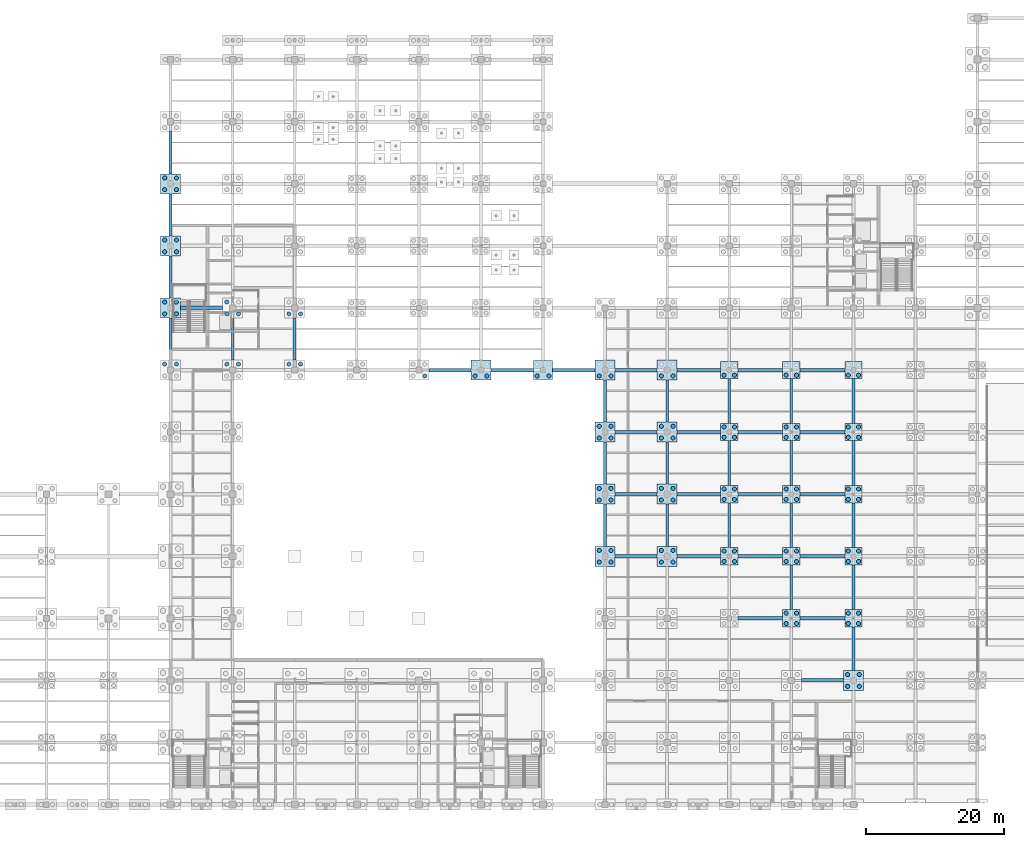
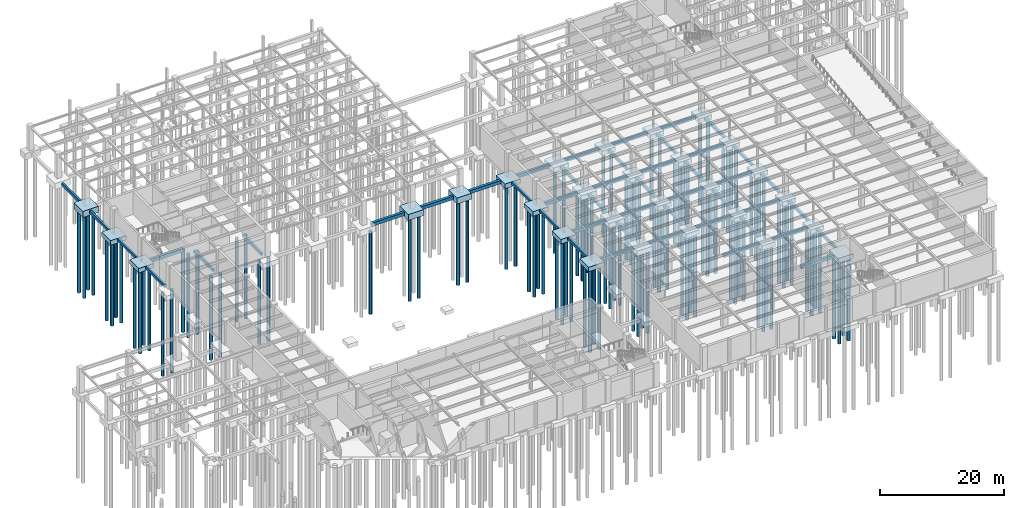
# One storey, part 4 of 49: 110 piles, 75 footings.
"""IFC4 building model written with IfcOpenShell, lengths in metres."""

import ifcopenshell
import ifcopenshell.guid

model = None  # the IFC model being written
_history = None  # IfcOwnerHistory: only IFC2X3 demands one
_inside = {}  # id of a spatial element -> (the spatial element, [elements in it])
_under = {}  # id of a project, library or spatial element -> (it, [spatial elements below it])
_declared = {}  # id of a project -> (the project, [libraries it declares])
_typed = {}  # id of a type object -> (the type object, [elements of that type])
_made_of = {}  # id of a material, layer set ... -> (it, [elements and type objects made of it])


def new_model(schema):
    """Start an empty IFC model of exactly this schema.

    Asked for "IFC4X3", IfcOpenShell would pick the latest addendum, in which some entities
    have other attributes; the version numbers below select the first issue.
    IFC2X3 requires an IfcOwnerHistory on every rooted entity: one is made here for all.
    """
    global model, _history
    if schema == "IFC4X3":
        model = ifcopenshell.file(schema_version=(4, 3, 0, 0))
    else:
        model = ifcopenshell.file(schema=schema)
    _inside.clear()
    _under.clear()
    _declared.clear()
    _typed.clear()
    _made_of.clear()
    _history = None
    if model.schema == "IFC2X3":
        org = make("IfcOrganization", Name="unknown")
        user = make(
            "IfcPersonAndOrganization",
            ThePerson=make("IfcPerson", FamilyName="unknown"),
            TheOrganization=org,
        )
        app = make(
            "IfcApplication",
            ApplicationDeveloper=org,
            Version="unknown",
            ApplicationFullName="unknown",
            ApplicationIdentifier="unknown",
        )
        _history = make(
            "IfcOwnerHistory",
            OwningUser=user,
            OwningApplication=app,
            ChangeAction="ADDED",
            CreationDate=0,
        )
    return model


def make(cls, **values):
    """One entity of the class cls with the attributes given. An attribute that is None is left unset."""
    return model.create_entity(
        cls, **{name: value for name, value in values.items() if value is not None}
    )


def rooted(cls, **values):
    """An entity with a GlobalId (a new one), such as an element, a storey or a relation."""
    return make(cls, GlobalId=ifcopenshell.guid.new(), OwnerHistory=_history, **values)


def si_unit(unit_type, name, prefix=None):
    """IfcSIUnit, for example si_unit("LENGTHUNIT", "METRE", prefix="MILLI")."""
    return make("IfcSIUnit", UnitType=unit_type, Prefix=prefix, Name=name)


def assignment(units):
    """IfcUnitAssignment: the units of a project."""
    return None if units is None else make("IfcUnitAssignment", Units=units)


def point(xyz):
    """IfcCartesianPoint."""
    return None if xyz is None else make("IfcCartesianPoint", Coordinates=xyz)


def direction(xyz):
    """IfcDirection."""
    return None if xyz is None else make("IfcDirection", DirectionRatios=xyz)


def frame(location, z_axis=None, x_axis=None):
    """IfcAxis2Placement3D, a coordinate frame: its origin and axes. An axis left out is left unset."""
    return make(
        "IfcAxis2Placement3D",
        Location=point(location),
        Axis=direction(z_axis),
        RefDirection=direction(x_axis),
    )


def frame_2d(location, x_axis=None):
    """IfcAxis2Placement2D, a coordinate frame in the plane: its origin and x axis."""
    return make(
        "IfcAxis2Placement2D", Location=point(location), RefDirection=direction(x_axis)
    )


def origin():
    """The frame at (0, 0, 0) with its axes left unset."""
    return frame((0.0, 0.0, 0.0))


def origin_2d():
    """The frame at (0, 0) in the plane with its x axis left unset."""
    return frame_2d((0.0, 0.0))


def place(relative_to, where):
    """IfcLocalPlacement: puts the frame where relative to a parent placement (None: the world)."""
    return make(
        "IfcLocalPlacement", PlacementRelTo=relative_to, RelativePlacement=where
    )


def context(
    kind, dimensions, precision=None, world=None, true_north=None, identifier=None
):
    """IfcGeometricRepresentationContext, for example the 3D "Model" context."""
    return make(
        "IfcGeometricRepresentationContext",
        ContextIdentifier=identifier,
        ContextType=kind,
        CoordinateSpaceDimension=dimensions,
        Precision=precision,
        WorldCoordinateSystem=world,
        TrueNorth=true_north,
    )


def subcontext(parent, identifier, kind, view, scale=None):
    """IfcGeometricRepresentationSubContext, for example "Body" below "Model"."""
    return make(
        "IfcGeometricRepresentationSubContext",
        ContextIdentifier=identifier,
        ContextType=kind,
        ParentContext=parent,
        TargetScale=scale,
        TargetView=view,
    )


def project(units=None, contexts=None):
    """IfcProject with its units and contexts."""
    return rooted(
        "IfcProject",
        Name="project",
        RepresentationContexts=contexts,
        UnitsInContext=assignment(units),
    )


def spatial(cls, under=None, at=None, **own):
    """A site, building, storey or space (cls), placed at a placement, below another one or the project."""
    s = rooted(cls, ObjectPlacement=at, **own)
    if under is not None:
        _under.setdefault(under.id(), (under, []))[1].append(s)
    return s


def profile(cls, at=None, kind="AREA", **sizes):
    """A parametric profile (cls). Its sizes go by their IFC names, for example OverallWidth=200.0."""
    return make(cls, ProfileType=kind, Position=at, **sizes)


def rectangle(**sizes):
    """IfcRectangleProfileDef."""
    return profile("IfcRectangleProfileDef", **sizes)


def circle(**sizes):
    """IfcCircleProfileDef."""
    return profile("IfcCircleProfileDef", **sizes)


def extrude(swept, where, along, depth):
    """IfcExtrudedAreaSolid: the profile swept, set in the frame where, extruded along a direction by depth."""
    return make(
        "IfcExtrudedAreaSolid",
        SweptArea=swept,
        Position=where,
        ExtrudedDirection=direction(along),
        Depth=depth,
    )


def shape(context_of_items, identifier, shape_type, items):
    """IfcShapeRepresentation: the items that make up one representation, for example the "Body"."""
    return make(
        "IfcShapeRepresentation",
        ContextOfItems=context_of_items,
        RepresentationIdentifier=identifier,
        RepresentationType=shape_type,
        Items=items,
    )


def material(Name=None, Category=None):
    """IfcMaterial."""
    return make("IfcMaterial", Name=Name, Category=Category)


def material_profile(
    of_material, cross_section, Name=None, Category=None, Priority=None
):
    """IfcMaterialProfile: a cross section and its material."""
    return make(
        "IfcMaterialProfile",
        Name=Name,
        Material=of_material,
        Profile=cross_section,
        Priority=Priority,
        Category=Category,
    )


def profile_set(profiles, Name=None, composite=None):
    """IfcMaterialProfileSet."""
    return make(
        "IfcMaterialProfileSet",
        Name=Name,
        MaterialProfiles=profiles,
        CompositeProfile=composite,
    )


def made_of(thing, what):
    """Note that an element or type object is made of a material, layer set ...; save() writes the relation."""
    if what is not None:
        _made_of.setdefault(what.id(), (what, []))[1].append(thing)
    return thing


def type_object(cls, material=None, **own):
    """A type object (cls), such as IfcWallType, which elements share."""
    return made_of(rooted(cls, **own), material)


def element(
    cls,
    number,
    at=None,
    inside=None,
    cuts=None,
    type_object=None,
    material=None,
    context=None,
    identifier="Body",
    shape_type=None,
    held_by="IfcProductDefinitionShape",
    body=None,
    shapes=None,
    **own,
):
    """One element of the class cls, such as IfcWall. Its Tag is "e" and its number.

    at: its placement. inside: the storey or other place that contains it. cuts: it is an
    opening in that element (IfcRelVoidsElement). A single representation is given by context,
    identifier, shape_type and body (its items); several are given by shapes. held_by: the class
    of the entity that holds the representations. save() writes the other relations.
    """
    e = rooted(cls, Tag="e%d" % number, ObjectPlacement=at, **own)
    if body is not None:
        shapes = [shape(context, identifier, shape_type, body)]
    if shapes is not None:
        e.Representation = make(held_by, Representations=shapes)
    if inside is not None:
        _inside.setdefault(inside.id(), (inside, []))[1].append(e)
    if cuts is not None:
        rooted(
            "IfcRelVoidsElement", RelatingBuildingElement=cuts, RelatedOpeningElement=e
        )
    if type_object is not None:
        _typed.setdefault(type_object.id(), (type_object, []))[1].append(e)
    return made_of(e, material)


def aggregate(whole, parts):
    """IfcRelAggregates: a whole, such as a stair, and the parts it consists of."""
    return rooted("IfcRelAggregates", RelatingObject=whole, RelatedObjects=parts)


def save(model, path):
    """Write the relations noted so far, then the file.

    IfcRelAggregates (storeys below a building ...), IfcRelContainedInSpatialStructure (elements
    in a storey), IfcRelDefinesByType, IfcRelAssociatesMaterial and IfcRelDeclares: one each for
    every whole, place, type object, material and project.
    """
    for whole, parts in _under.values():
        aggregate(whole, parts)
    for where, things in _inside.values():
        rooted(
            "IfcRelContainedInSpatialStructure",
            RelatedElements=things,
            RelatingStructure=where,
        )
    for kind, things in _typed.values():
        rooted("IfcRelDefinesByType", RelatedObjects=things, RelatingType=kind)
    for what, things in _made_of.values():
        rooted("IfcRelAssociatesMaterial", RelatedObjects=things, RelatingMaterial=what)
    for by, libraries in _declared.values():
        rooted("IfcRelDeclares", RelatingContext=by, RelatedDefinitions=libraries)
    model.write(path)


model = new_model("IFC4")

# Units and contexts
model_context = context("Model", 3, precision=1e-05, world=origin(), true_north=direction((0.0, 1.0)))
body_context = subcontext(model_context, "Body", "Model", "MODEL_VIEW")
ifc_project = project(units=[si_unit("LENGTHUNIT", "METRE"), si_unit("AREAUNIT", "SQUARE_METRE"), si_unit("VOLUMEUNIT", "CUBIC_METRE"), si_unit("PLANEANGLEUNIT", "RADIAN"), si_unit("MASSUNIT", "GRAM", prefix="KILO")], contexts=[model_context])

# Site, building, storey
site_placement = place(None, origin())
site = spatial("IfcSite", under=ifc_project, at=site_placement, CompositionType="ELEMENT")
building_placement = place(site_placement, origin())
building = spatial("IfcBuilding", under=site, at=building_placement, Name="Lykobir Media Centre", CompositionType="ELEMENT")
storey_placement = place(building_placement, frame((0.0, 0.0, -4.800048828125)))
storey = spatial("IfcBuildingStorey", under=building, at=storey_placement, Name="B1", CompositionType="ELEMENT", Elevation=-4.800048828125)

# Piles
ifc_material_1 = material(Name="Concrete C30/37", Category="concrete")
ifc_material_profile = material_profile(ifc_material_1, circle(Radius=0.300048828125, at=origin_2d()), Name="BORED PILE D600")
ifc_profile_set = profile_set([ifc_material_profile], Name="Concrete C30/37")
pile_type = type_object("IfcPileType", Name="BP-600", PredefinedType="BORED", material=ifc_profile_set)
for number, where, z_axis, x_axis, name in (
    (1, (26.14990234375, 63.85009765625, -1.099853515625), (0.0, 0.0, -1.0), (1.0, 0.0, 0.0), "Bored pile PILE-0262-0638-3"),
    (2, (27.85009765625, 63.85009765625, -1.099853515625), (0.0, 0.0, -1.0), (1.0, 0.0, 0.0), "Bored pile PILE-0278-0638-4"),
    (3, (26.14990234375, 71.14990234375, -1.099853515625), (0.0, 0.0, -1.0), (1.0, 0.0, 0.0), "Bored pile PILE-0262-0712-1"),
    (4, (27.85009765625, 71.14990234375, -1.099853515625), (0.0, 0.0, -1.0), (1.0, 0.0, 0.0), "Bored pile PILE-0278-0712-2"),
    (5, (26.14990234375, 72.85009765625, -1.099853515625), (0.0, 0.0, -1.0), (1.0, 0.0, 0.0), "Bored pile PILE-0262-0728-3"),
    (6, (27.85009765625, 72.85009765625, -1.099853515625), (0.0, 0.0, -1.0), (1.0, 0.0, 0.0), "Bored pile PILE-0278-0728-4"),
    (7, (26.14990234375, 80.14990234375, -1.099853515625), (0.0, 0.0, -1.0), (1.0, 0.0, 0.0), "Bored pile PILE-0262-0802-1"),
    (8, (27.85009765625, 80.14990234375, -1.099853515625), (0.0, 0.0, -1.0), (1.0, 0.0, 0.0), "Bored pile PILE-0278-0802-2"),
    (9, (26.14990234375, 81.85009765625, -1.099853515625), (0.0, 0.0, -1.0), (1.0, 0.0, 0.0), "Bored pile PILE-0262-0818-3"),
    (10, (27.85009765625, 81.85009765625, -1.099853515625), (0.0, 0.0, -1.0), (1.0, 0.0, 0.0), "Bored pile PILE-0278-0818-4"),
    (11, (26.14990234375, 89.14990234375, -1.099853515625), (0.0, 0.0, -1.0), (1.0, 0.0, 0.0), "Bored pile PILE-0262-0892-1"),
    (12, (27.85009765625, 89.14990234375, -1.099853515625), (0.0, 0.0, -1.0), (1.0, 0.0, 0.0), "Bored pile PILE-0278-0892-2"),
    (13, (26.14990234375, 90.85009765625, -1.099853515625), (0.0, 0.0, -1.0), (1.0, 0.0, 0.0), "Bored pile PILE-0262-0908-3"),
    (14, (27.85009765625, 90.85009765625, -1.099853515625), (0.0, 0.0, -1.0), (1.0, 0.0, 0.0), "Bored pile PILE-0278-0908-4"),
    (15, (35.14990234375, 63.85009765625, -1.099853515625), (0.0, 0.0, -1.0), (1.0, 0.0, 0.0), "Bored pile PILE-0352-0638-3"),
    (16, (36.85009765625, 63.85009765625, -1.099853515625), (0.0, 0.0, -1.0), (1.0, 0.0, 0.0), "Bored pile PILE-0368-0638-4"),
    (17, (35.14990234375, 71.14990234375, -1.099853515625), (0.0, 0.0, -1.0), (1.0, 0.0, 0.0), "Bored pile PILE-0352-0712-1"),
    (18, (36.85009765625, 71.14990234375, -1.099853515625), (0.0, 0.0, -1.0), (1.0, 0.0, 0.0), "Bored pile PILE-0368-0712-2"),
    (19, (35.14990234375, 72.85009765625, -1.099853515625), (0.0, 0.0, -1.0), (1.0, 0.0, 0.0), "Bored pile PILE-0352-0728-3"),
    (20, (44.14990234375, 63.85009765625, -1.099853515625), (0.0, 0.0, -1.0), (1.0, 0.0, 0.0), "Bored pile PILE-0442-0638-3"),
    (21, (45.85009765625, 63.85009765625, -1.099853515625), (0.0, 0.0, -1.0), (1.0, 0.0, 0.0), "Bored pile PILE-0458-0638-4"),
    (22, (44.14990234375, 71.14990234375, -1.099853515625), (0.0, 0.0, -1.0), (1.0, 0.0, 0.0), "Bored pile PILE-0442-0712-1"),
    (23, (45.85009765625, 71.14990234375, -1.099853515625), (0.0, 0.0, -1.0), (1.0, 0.0, 0.0), "Bored pile PILE-0458-0712-2"),
    (24, (63.85009765625, 62.14990234375, -1.099853515625), (0.0, 0.0, -1.0), (1.0, 0.0, 0.0), "Bored pile PILE-0638-0622-2"),
    (25, (71.14990234375, 62.14990234375, -1.099853515625), (0.0, 0.0, -1.0), (1.0, 0.0, 0.0), "Bored pile PILE-0712-0622-1"),
    (26, (72.85009765625, 62.14990234375, -1.099853515625), (0.0, 0.0, -1.0), (1.0, 0.0, 0.0), "Bored pile PILE-0728-0622-2"),
    (27, (80.14990234375, 62.14990234375, -1.099853515625), (0.0, 0.0, -1.0), (1.0, 0.0, 0.0), "Bored pile PILE-0802-0622-1"),
    (28, (81.85009765625, 62.14990234375, -1.099853515625), (0.0, 0.0, -1.0), (1.0, 0.0, 0.0), "Bored pile PILE-0818-0622-2"),
    (29, (89.14990234375, 35.14990234375, -1.099853515625), (0.0, 0.0, -1.0), (1.0, 0.0, 0.0), "Bored pile PILE-0892-0352-1"),
    (30, (90.85009765625, 35.14990234375, -1.099853515625), (0.0, 0.0, -1.0), (1.0, 0.0, 0.0), "Bored pile PILE-0908-0352-2"),
    (31, (89.14990234375, 36.85009765625, -1.099853515625), (0.0, 0.0, -1.0), (1.0, 0.0, 0.0), "Bored pile PILE-0892-0368-3"),
    (32, (90.85009765625, 36.85009765625, -1.099853515625), (0.0, 0.0, -1.0), (1.0, 0.0, 0.0), "Bored pile PILE-0908-0368-4"),
    (33, (89.14990234375, 44.14990234375, -1.099853515625), (0.0, 0.0, -1.0), (1.0, 0.0, 0.0), "Bored pile PILE-0892-0442-1"),
    (34, (90.85009765625, 44.14990234375, -1.099853515625), (0.0, 0.0, -1.0), (1.0, 0.0, 0.0), "Bored pile PILE-0908-0442-2"),
    (35, (89.14990234375, 45.85009765625, -1.099853515625), (0.0, 0.0, -1.0), (1.0, 0.0, 0.0), "Bored pile PILE-0892-0458-3"),
    (36, (90.85009765625, 45.85009765625, -1.099853515625), (0.0, 0.0, -1.0), (1.0, 0.0, 0.0), "Bored pile PILE-0908-0458-4"),
    (37, (89.14990234375, 53.14990234375, -1.099853515625), (0.0, 0.0, -1.0), (1.0, 0.0, 0.0), "Bored pile PILE-0892-0532-1"),
    (38, (90.85009765625, 53.14990234375, -1.099853515625), (0.0, 0.0, -1.0), (1.0, 0.0, 0.0), "Bored pile PILE-0908-0532-2"),
    (39, (89.14990234375, 54.85009765625, -1.099853515625), (0.0, 0.0, -1.0), (1.0, 0.0, 0.0), "Bored pile PILE-0892-0548-3"),
    (40, (90.85009765625, 54.85009765625, -1.099853515625), (0.0, 0.0, -1.0), (1.0, 0.0, 0.0), "Bored pile PILE-0908-0548-4"),
    (41, (89.14990234375, 62.14990234375, -1.099853515625), (0.0, 0.0, -1.0), (1.0, 0.0, 0.0), "Bored pile PILE-0892-0622-1"),
    (42, (90.85009765625, 62.14990234375, -1.099853515625), (0.0, 0.0, -1.0), (1.0, 0.0, 0.0), "Bored pile PILE-0908-0622-2"),
    (43, (98.14990234375, 35.14990234375, -1.099853515625), (0.0, 0.0, -1.0), (1.0, 0.0, 0.0), "Bored pile PILE-0982-0352-1"),
    (44, (99.85009765625, 35.14990234375, -1.099853515625), (0.0, 0.0, -1.0), (1.0, 0.0, 0.0), "Bored pile PILE-0998-0352-2"),
    (45, (98.14990234375, 36.85009765625, -1.099853515625), (0.0, 0.0, -1.0), (1.0, 0.0, 0.0), "Bored pile PILE-0982-0368-3"),
    (46, (99.85009765625, 36.85009765625, -1.099853515625), (0.0, 0.0, -1.0), (1.0, 0.0, 0.0), "Bored pile PILE-0998-0368-4"),
    (47, (98.14990234375, 44.14990234375, -1.099853515625), (0.0, 0.0, -1.0), (1.0, 0.0, 0.0), "Bored pile PILE-0982-0442-1"),
    (48, (99.85009765625, 44.14990234375, -1.099853515625), (0.0, 0.0, -1.0), (1.0, 0.0, 0.0), "Bored pile PILE-0998-0442-2"),
    (49, (98.14990234375, 45.85009765625, -1.099853515625), (0.0, 0.0, -1.0), (1.0, 0.0, 0.0), "Bored pile PILE-0982-0458-3"),
    (50, (99.85009765625, 45.85009765625, -1.099853515625), (0.0, 0.0, -1.0), (1.0, 0.0, 0.0), "Bored pile PILE-0998-0458-4"),
    (51, (98.14990234375, 53.14990234375, -1.099853515625), (0.0, 0.0, -1.0), (1.0, 0.0, 0.0), "Bored pile PILE-0982-0532-1"),
    (52, (99.85009765625, 53.14990234375, -1.099853515625), (0.0, 0.0, -1.0), (1.0, 0.0, 0.0), "Bored pile PILE-0998-0532-2"),
    (53, (98.14990234375, 54.85009765625, -1.099853515625), (0.0, 0.0, -1.0), (1.0, 0.0, 0.0), "Bored pile PILE-0982-0548-3"),
    (54, (99.85009765625, 54.85009765625, -1.099853515625), (0.0, 0.0, -1.0), (1.0, 0.0, 0.0), "Bored pile PILE-0998-0548-4"),
    (55, (98.14990234375, 62.14990234375, -1.099853515625), (0.0, 0.0, -1.0), (1.0, 0.0, 0.0), "Bored pile PILE-0982-0622-1"),
    (56, (99.85009765625, 62.14990234375, -1.099853515625), (0.0, 0.0, -1.0), (1.0, 0.0, 0.0), "Bored pile PILE-0998-0622-2"),
    (57, (107.25, 35.25, -1.099853515625), (0.0, 0.0, -1.0), (1.0, 0.0, 0.0), "Bored pile PILE-1072-0352-1"),
    (58, (108.75, 35.25, -1.099853515625), (0.0, 0.0, -1.0), (1.0, 0.0, 0.0), "Bored pile PILE-1088-0352-2"),
    (59, (107.25, 36.75, -1.099853515625), (0.0, 0.0, -1.0), (1.0, 0.0, 0.0), "Bored pile PILE-1072-0368-3"),
    (60, (108.75, 36.75, -1.099853515625), (0.0, 0.0, -1.0), (1.0, 0.0, 0.0), "Bored pile PILE-1088-0368-4"),
    (61, (107.25, 44.25, -1.099853515625), (0.0, 0.0, -1.0), (1.0, 0.0, 0.0), "Bored pile PILE-1072-0442-1"),
    (62, (108.75, 44.25, -1.099853515625), (0.0, 0.0, -1.0), (1.0, 0.0, 0.0), "Bored pile PILE-1088-0442-2"),
    (63, (107.25, 45.75, -1.099853515625), (0.0, 0.0, -1.0), (1.0, 0.0, 0.0), "Bored pile PILE-1072-0458-3"),
    (64, (108.75, 45.75, -1.099853515625), (0.0, 0.0, -1.0), (1.0, 0.0, 0.0), "Bored pile PILE-1088-0458-4"),
    (65, (107.25, 53.25, -1.099853515625), (0.0, 0.0, -1.0), (1.0, 0.0, 0.0), "Bored pile PILE-1072-0532-1"),
    (66, (108.75, 53.25, -1.099853515625), (0.0, 0.0, -1.0), (1.0, 0.0, 0.0), "Bored pile PILE-1088-0532-2"),
    (67, (107.25, 54.75, -1.099853515625), (0.0, 0.0, -1.0), (1.0, 0.0, 0.0), "Bored pile PILE-1072-0548-3"),
    (68, (108.75, 54.75, -1.099853515625), (0.0, 0.0, -1.0), (1.0, 0.0, 0.0), "Bored pile PILE-1088-0548-4"),
    (69, (107.25, 62.25, -1.099853515625), (0.0, 0.0, -1.0), (1.0, 0.0, 0.0), "Bored pile PILE-1072-0622-1"),
    (70, (108.75, 62.25, -1.099853515625), (0.0, 0.0, -1.0), (1.0, 0.0, 0.0), "Bored pile PILE-1088-0622-2"),
    (71, (116.25, 26.25, -1.099853515625), (0.0, 0.0, -1.0), (1.0, 0.0, 0.0), "Bored pile PILE-1162-0262-1"),
    (72, (117.75, 26.25, -1.099853515625), (0.0, 0.0, -1.0), (1.0, 0.0, 0.0), "Bored pile PILE-1178-0262-2"),
    (73, (116.25, 27.75, -1.099853515625), (0.0, 0.0, -1.0), (1.0, 0.0, 0.0), "Bored pile PILE-1162-0278-3"),
    (74, (117.75, 27.75, -1.099853515625), (0.0, 0.0, -1.0), (1.0, 0.0, 0.0), "Bored pile PILE-1178-0278-4"),
    (75, (116.25, 35.25, -1.099853515625), (0.0, 0.0, -1.0), (1.0, 0.0, 0.0), "Bored pile PILE-1162-0352-1"),
    (76, (117.75, 35.25, -1.099853515625), (0.0, 0.0, -1.0), (1.0, 0.0, 0.0), "Bored pile PILE-1178-0352-2"),
    (77, (116.25, 36.75, -1.099853515625), (0.0, 0.0, -1.0), (1.0, 0.0, 0.0), "Bored pile PILE-1162-0368-3"),
    (78, (117.75, 36.75, -1.099853515625), (0.0, 0.0, -1.0), (1.0, 0.0, 0.0), "Bored pile PILE-1178-0368-4"),
    (79, (116.25, 44.25, -1.099853515625), (0.0, 0.0, -1.0), (1.0, 0.0, 0.0), "Bored pile PILE-1162-0442-1"),
    (80, (117.75, 44.25, -1.099853515625), (0.0, 0.0, -1.0), (1.0, 0.0, 0.0), "Bored pile PILE-1178-0442-2"),
    (81, (116.25, 45.75, -1.099853515625), (0.0, 0.0, -1.0), (1.0, 0.0, 0.0), "Bored pile PILE-1162-0458-3"),
    (82, (117.75, 45.75, -1.099853515625), (0.0, 0.0, -1.0), (1.0, 0.0, 0.0), "Bored pile PILE-1178-0458-4"),
    (83, (116.25, 53.25, -1.099853515625), (0.0, 0.0, -1.0), (1.0, 0.0, 0.0), "Bored pile PILE-1162-0532-1"),
    (84, (117.75, 53.25, -1.099853515625), (0.0, 0.0, -1.0), (1.0, 0.0, 0.0), "Bored pile PILE-1178-0532-2"),
    (85, (116.25, 54.75, -1.099853515625), (0.0, 0.0, -1.0), (1.0, 0.0, 0.0), "Bored pile PILE-1162-0548-3"),
    (86, (117.75, 54.75, -1.099853515625), (0.0, 0.0, -1.0), (1.0, 0.0, 0.0), "Bored pile PILE-1178-0548-4"),
    (87, (116.25, 62.25, -1.099853515625), (0.0, 0.0, -1.0), (1.0, 0.0, 0.0), "Bored pile PILE-1162-0622-1"),
    (88, (117.75, 62.25, -1.099853515625), (0.0, 0.0, -1.0), (1.0, 0.0, 0.0), "Bored pile PILE-1178-0622-2"),
    (89, (125.14990234375, 17.14990234375, -1.099853515625), (0.0, 0.0, -1.0), (1.0, 0.0, 0.0), "Bored pile PILE-1252-0172-1"),
    (90, (126.85009765625, 17.14990234375, -1.099853515625), (0.0, 0.0, -1.0), (1.0, 0.0, 0.0), "Bored pile PILE-1268-0172-2"),
    (91, (125.14990234375, 18.85009765625, -1.099853515625), (0.0, 0.0, -1.0), (1.0, 0.0, 0.0), "Bored pile PILE-1252-0188-3"),
    (92, (126.85009765625, 18.85009765625, -1.099853515625), (0.0, 0.0, -1.0), (1.0, 0.0, 0.0), "Bored pile PILE-1268-0188-4"),
    (93, (125.25, 26.25, -1.099853515625), (0.0, 0.0, -1.0), (1.0, 0.0, 0.0), "Bored pile PILE-1252-0262-1"),
    (94, (126.75, 26.25, -1.099853515625), (0.0, 0.0, -1.0), (1.0, 0.0, 0.0), "Bored pile PILE-1268-0262-2"),
    (95, (125.25, 27.75, -1.099853515625), (0.0, 0.0, -1.0), (1.0, 0.0, 0.0), "Bored pile PILE-1252-0278-3"),
    (96, (126.75, 27.75, -1.099853515625), (0.0, 0.0, -1.0), (1.0, 0.0, 0.0), "Bored pile PILE-1268-0278-4"),
    (97, (125.25, 35.25, -1.099853515625), (0.0, 0.0, -1.0), (1.0, 0.0, 0.0), "Bored pile PILE-1252-0352-1"),
    (98, (126.75, 35.25, -1.099853515625), (0.0, 0.0, -1.0), (1.0, 0.0, 0.0), "Bored pile PILE-1268-0352-2"),
    (99, (125.25, 36.75, -1.099853515625), (0.0, 0.0, -1.0), (1.0, 0.0, 0.0), "Bored pile PILE-1252-0368-3"),
    (100, (126.75, 36.75, -1.099853515625), (0.0, 0.0, -1.0), (1.0, 0.0, 0.0), "Bored pile PILE-1268-0368-4"),
    (101, (125.25, 44.25, -1.099853515625), (0.0, 0.0, -1.0), (1.0, 0.0, 0.0), "Bored pile PILE-1252-0442-1"),
    (102, (126.75, 44.25, -1.099853515625), (0.0, 0.0, -1.0), (1.0, 0.0, 0.0), "Bored pile PILE-1268-0442-2"),
    (103, (125.25, 45.75, -1.099853515625), (0.0, 0.0, -1.0), (1.0, 0.0, 0.0), "Bored pile PILE-1252-0458-3"),
    (104, (126.75, 45.75, -1.099853515625), (0.0, 0.0, -1.0), (1.0, 0.0, 0.0), "Bored pile PILE-1268-0458-4"),
    (105, (125.25, 53.25, -1.099853515625), (0.0, 0.0, -1.0), (1.0, 0.0, 0.0), "Bored pile PILE-1252-0532-1"),
    (106, (126.75, 53.25, -1.099853515625), (0.0, 0.0, -1.0), (1.0, 0.0, 0.0), "Bored pile PILE-1268-0532-2"),
    (107, (125.25, 54.75, -1.099853515625), (0.0, 0.0, -1.0), (1.0, 0.0, 0.0), "Bored pile PILE-1252-0548-3"),
    (108, (126.75, 54.75, -1.099853515625), (0.0, 0.0, -1.0), (1.0, 0.0, 0.0), "Bored pile PILE-1268-0548-4"),
    (109, (125.25, 62.25, -1.099853515625), (0.0, 0.0, -1.0), (1.0, 0.0, 0.0), "Bored pile PILE-1252-0622-1"),
    (110, (126.75, 62.25, -1.099853515625), (0.0, 0.0, -1.0), (1.0, 0.0, 0.0), "Bored pile PILE-1268-0622-2"),
):
    element("IfcPile", number, at=place(storey_placement, frame(where, z_axis=z_axis, x_axis=x_axis)), inside=storey, type_object=pile_type, Name=name, PredefinedType="BORED", context=body_context, shape_type="SweptSolid", body=[
        extrude(circle(Radius=0.300048828125, at=origin_2d()), origin(), (0.0, 0.0, 1.0), 16.39990234375),
    ])

# Footings
ifc_material_2 = material(Name="Concrete C35/45", Category="concrete")
footing_type_1 = type_object("IfcFootingType", Name="GB-3", PredefinedType="FOOTING_BEAM", material=ifc_material_2)
footing_1_placement = place(storey_placement, frame((121.5, 18.0, -0.949951171875), z_axis=(0.0, 0.0, 1.0), x_axis=(1.0, 0.0, 0.0)))
element("IfcFooting", 111, at=footing_1_placement, inside=storey, type_object=footing_type_1, Name="Ground tie beam FTG-GB-X-059", PredefinedType="FOOTING_BEAM", context=body_context, shape_type="SweptSolid", body=[
    extrude(rectangle(XDim=6.10009765625, YDim=0.5, at=origin_2d()), origin(), (0.0, 0.0, 1.0), 0.64990234375),
])
for number, where, z_axis, x_axis, name in (
    (112, (112.5, 27.0, -0.949951171875), (0.0, 0.0, 1.0), (1.0, 0.0, 0.0), "Ground tie beam FTG-GB-X-069"),
    (113, (121.5, 27.0, -0.949951171875), (0.0, 0.0, 1.0), (1.0, 0.0, 0.0), "Ground tie beam FTG-GB-X-070"),
):
    element("IfcFooting", number, at=place(storey_placement, frame(where, z_axis=z_axis, x_axis=x_axis)), inside=storey, type_object=footing_type_1, Name=name, PredefinedType="FOOTING_BEAM", context=body_context, shape_type="SweptSolid", body=[
        extrude(rectangle(XDim=6.5, YDim=0.5, at=origin_2d()), origin(), (0.0, 0.0, 1.0), 0.64990234375),
    ])
footing_2_placement = place(storey_placement, frame((94.5, 36.0, -0.949951171875), z_axis=(0.0, 0.0, 1.0), x_axis=(1.0, 0.0, 0.0)))
element("IfcFooting", 114, at=footing_2_placement, inside=storey, type_object=footing_type_1, Name="Ground tie beam FTG-GB-X-077", PredefinedType="FOOTING_BEAM", context=body_context, shape_type="SweptSolid", body=[
    extrude(rectangle(XDim=6.10009765625, YDim=0.5, at=origin_2d()), origin(), (0.0, 0.0, 1.0), 0.64990234375),
])
footing_3_placement = place(storey_placement, frame((103.60009765625, 36.0, -0.949951171875), z_axis=(0.0, 0.0, 1.0), x_axis=(1.0, 0.0, 0.0)))
element("IfcFooting", 115, at=footing_3_placement, inside=storey, type_object=footing_type_1, Name="Ground tie beam FTG-GB-X-078", PredefinedType="FOOTING_BEAM", context=body_context, shape_type="SweptSolid", body=[
    extrude(rectangle(XDim=6.300048828125, YDim=0.5, at=origin_2d()), origin(), (0.0, 0.0, 1.0), 0.64990234375),
])
for number, where, z_axis, x_axis, name in (
    (116, (112.5, 36.0, -0.949951171875), (0.0, 0.0, 1.0), (1.0, 0.0, 0.0), "Ground tie beam FTG-GB-X-079"),
    (117, (121.5, 36.0, -0.949951171875), (0.0, 0.0, 1.0), (1.0, 0.0, 0.0), "Ground tie beam FTG-GB-X-080"),
):
    element("IfcFooting", number, at=place(storey_placement, frame(where, z_axis=z_axis, x_axis=x_axis)), inside=storey, type_object=footing_type_1, Name=name, PredefinedType="FOOTING_BEAM", context=body_context, shape_type="SweptSolid", body=[
        extrude(rectangle(XDim=6.5, YDim=0.5, at=origin_2d()), origin(), (0.0, 0.0, 1.0), 0.64990234375),
    ])
footing_4_placement = place(storey_placement, frame((94.5, 45.0, -0.949951171875), z_axis=(0.0, 0.0, 1.0), x_axis=(1.0, 0.0, 0.0)))
element("IfcFooting", 118, at=footing_4_placement, inside=storey, type_object=footing_type_1, Name="Ground tie beam FTG-GB-X-088", PredefinedType="FOOTING_BEAM", context=body_context, shape_type="SweptSolid", body=[
    extrude(rectangle(XDim=6.10009765625, YDim=0.5, at=origin_2d()), origin(), (0.0, 0.0, 1.0), 0.64990234375),
])
footing_5_placement = place(storey_placement, frame((103.60009765625, 45.0, -0.949951171875), z_axis=(0.0, 0.0, 1.0), x_axis=(1.0, 0.0, 0.0)))
element("IfcFooting", 119, at=footing_5_placement, inside=storey, type_object=footing_type_1, Name="Ground tie beam FTG-GB-X-089", PredefinedType="FOOTING_BEAM", context=body_context, shape_type="SweptSolid", body=[
    extrude(rectangle(XDim=6.300048828125, YDim=0.5, at=origin_2d()), origin(), (0.0, 0.0, 1.0), 0.64990234375),
])
for number, where, z_axis, x_axis, name in (
    (120, (112.5, 45.0, -0.949951171875), (0.0, 0.0, 1.0), (1.0, 0.0, 0.0), "Ground tie beam FTG-GB-X-090"),
    (121, (121.5, 45.0, -0.949951171875), (0.0, 0.0, 1.0), (1.0, 0.0, 0.0), "Ground tie beam FTG-GB-X-091"),
):
    element("IfcFooting", number, at=place(storey_placement, frame(where, z_axis=z_axis, x_axis=x_axis)), inside=storey, type_object=footing_type_1, Name=name, PredefinedType="FOOTING_BEAM", context=body_context, shape_type="SweptSolid", body=[
        extrude(rectangle(XDim=6.5, YDim=0.5, at=origin_2d()), origin(), (0.0, 0.0, 1.0), 0.64990234375),
    ])
footing_6_placement = place(storey_placement, frame((94.5, 54.0, -0.949951171875), z_axis=(0.0, 0.0, 1.0), x_axis=(1.0, 0.0, 0.0)))
element("IfcFooting", 122, at=footing_6_placement, inside=storey, type_object=footing_type_1, Name="Ground tie beam FTG-GB-X-096", PredefinedType="FOOTING_BEAM", context=body_context, shape_type="SweptSolid", body=[
    extrude(rectangle(XDim=6.10009765625, YDim=0.5, at=origin_2d()), origin(), (0.0, 0.0, 1.0), 0.64990234375),
])
footing_7_placement = place(storey_placement, frame((103.60009765625, 54.0, -0.949951171875), z_axis=(0.0, 0.0, 1.0), x_axis=(1.0, 0.0, 0.0)))
element("IfcFooting", 123, at=footing_7_placement, inside=storey, type_object=footing_type_1, Name="Ground tie beam FTG-GB-X-097", PredefinedType="FOOTING_BEAM", context=body_context, shape_type="SweptSolid", body=[
    extrude(rectangle(XDim=6.300048828125, YDim=0.5, at=origin_2d()), origin(), (0.0, 0.0, 1.0), 0.64990234375),
])
for number, where, z_axis, x_axis, name in (
    (124, (112.5, 54.0, -0.949951171875), (0.0, 0.0, 1.0), (1.0, 0.0, 0.0), "Ground tie beam FTG-GB-X-098"),
    (125, (121.5, 54.0, -0.949951171875), (0.0, 0.0, 1.0), (1.0, 0.0, 0.0), "Ground tie beam FTG-GB-X-099"),
):
    element("IfcFooting", number, at=place(storey_placement, frame(where, z_axis=z_axis, x_axis=x_axis)), inside=storey, type_object=footing_type_1, Name=name, PredefinedType="FOOTING_BEAM", context=body_context, shape_type="SweptSolid", body=[
        extrude(rectangle(XDim=6.5, YDim=0.5, at=origin_2d()), origin(), (0.0, 0.0, 1.0), 0.64990234375),
    ])
footing_8_placement = place(storey_placement, frame((67.5, 63.0, -0.949951171875), z_axis=(0.0, 0.0, 1.0), x_axis=(1.0, 0.0, 0.0)))
element("IfcFooting", 126, at=footing_8_placement, inside=storey, type_object=footing_type_1, Name="Ground tie beam FTG-GB-X-107", PredefinedType="FOOTING_BEAM", context=body_context, shape_type="SweptSolid", body=[
    extrude(rectangle(XDim=6.10009765625, YDim=0.5, at=origin_2d()), origin(), (0.0, 0.0, 1.0), 0.64990234375),
])
for number, where, z_axis, x_axis, name in (
    (127, (76.550048828125, 63.0, -0.949951171875), (0.0, 0.0, 1.0), (1.0, 0.0, 0.0), "Ground tie beam FTG-GB-X-108"),
    (128, (85.449951171875, 63.0, -0.949951171875), (0.0, 0.0, 1.0), (1.0, 0.0, 0.0), "Ground tie beam FTG-GB-X-109"),
):
    element("IfcFooting", number, at=place(storey_placement, frame(where, z_axis=z_axis, x_axis=x_axis)), inside=storey, type_object=footing_type_1, Name=name, PredefinedType="FOOTING_BEAM", context=body_context, shape_type="SweptSolid", body=[
        extrude(rectangle(XDim=6.199951171875, YDim=0.5, at=origin_2d()), origin(), (0.0, 0.0, 1.0), 0.64990234375),
    ])
footing_9_placement = place(storey_placement, frame((94.5, 63.0, -0.949951171875), z_axis=(0.0, 0.0, 1.0), x_axis=(1.0, 0.0, 0.0)))
element("IfcFooting", 129, at=footing_9_placement, inside=storey, type_object=footing_type_1, Name="Ground tie beam FTG-GB-X-110", PredefinedType="FOOTING_BEAM", context=body_context, shape_type="SweptSolid", body=[
    extrude(rectangle(XDim=6.10009765625, YDim=0.5, at=origin_2d()), origin(), (0.0, 0.0, 1.0), 0.64990234375),
])
footing_10_placement = place(storey_placement, frame((103.60009765625, 63.0, -0.949951171875), z_axis=(0.0, 0.0, 1.0), x_axis=(1.0, 0.0, 0.0)))
element("IfcFooting", 130, at=footing_10_placement, inside=storey, type_object=footing_type_1, Name="Ground tie beam FTG-GB-X-111", PredefinedType="FOOTING_BEAM", context=body_context, shape_type="SweptSolid", body=[
    extrude(rectangle(XDim=6.300048828125, YDim=0.5, at=origin_2d()), origin(), (0.0, 0.0, 1.0), 0.64990234375),
])
for number, where, z_axis, x_axis, name in (
    (131, (112.5, 63.0, -0.949951171875), (0.0, 0.0, 1.0), (1.0, 0.0, 0.0), "Ground tie beam FTG-GB-X-112"),
    (132, (121.5, 63.0, -0.949951171875), (0.0, 0.0, 1.0), (1.0, 0.0, 0.0), "Ground tie beam FTG-GB-X-113"),
):
    element("IfcFooting", number, at=place(storey_placement, frame(where, z_axis=z_axis, x_axis=x_axis)), inside=storey, type_object=footing_type_1, Name=name, PredefinedType="FOOTING_BEAM", context=body_context, shape_type="SweptSolid", body=[
        extrude(rectangle(XDim=6.5, YDim=0.5, at=origin_2d()), origin(), (0.0, 0.0, 1.0), 0.64990234375),
    ])
footing_11_placement = place(storey_placement, frame((31.5, 72.0, -0.949951171875), z_axis=(0.0, 0.0, 1.0), x_axis=(1.0, 0.0, 0.0)))
element("IfcFooting", 133, at=footing_11_placement, inside=storey, type_object=footing_type_1, Name="Ground tie beam FTG-GB-X-117", PredefinedType="FOOTING_BEAM", context=body_context, shape_type="SweptSolid", body=[
    extrude(rectangle(XDim=6.10009765625, YDim=0.5, at=origin_2d()), origin(), (0.0, 0.0, 1.0), 0.64990234375),
])
footing_type_2 = type_object("IfcFootingType", Name="GB-5", PredefinedType="FOOTING_BEAM", material=ifc_material_2)
for number, where, z_axis, x_axis, name in (
    (134, (27.0, 67.5, -0.85009765625), (0.0, 0.0, 1.0), (0.0, 1.0, 0.0), "Ground tie beam FTG-GB-Y-212"),
    (135, (27.0, 76.5, -0.85009765625), (0.0, 0.0, 1.0), (0.0, 1.0, 0.0), "Ground tie beam FTG-GB-Y-213"),
    (136, (27.0, 85.5, -0.85009765625), (0.0, 0.0, 1.0), (0.0, 1.0, 0.0), "Ground tie beam FTG-GB-Y-214"),
    (137, (27.0, 94.5, -0.85009765625), (0.0, 0.0, 1.0), (0.0, 1.0, 0.0), "Ground tie beam FTG-GB-Y-215"),
    (138, (36.0, 67.5, -0.85009765625), (0.0, 0.0, 1.0), (0.0, 1.0, 0.0), "Ground tie beam FTG-GB-Y-224"),
    (139, (45.0, 67.5, -0.85009765625), (0.0, 0.0, 1.0), (0.0, 1.0, 0.0), "Ground tie beam FTG-GB-Y-232"),
    (140, (90.0, 40.5, -0.85009765625), (0.0, 0.0, 1.0), (0.0, 1.0, 0.0), "Ground tie beam FTG-GB-Y-274"),
    (141, (90.0, 49.5, -0.85009765625), (0.0, 0.0, 1.0), (0.0, 1.0, 0.0), "Ground tie beam FTG-GB-Y-275"),
    (142, (90.0, 58.5, -0.85009765625), (0.0, 0.0, 1.0), (0.0, 1.0, 0.0), "Ground tie beam FTG-GB-Y-276"),
    (143, (99.0, 40.5, -0.85009765625), (0.0, 0.0, 1.0), (0.0, 1.0, 0.0), "Ground tie beam FTG-GB-Y-282"),
    (144, (99.0, 49.5, -0.85009765625), (0.0, 0.0, 1.0), (0.0, 1.0, 0.0), "Ground tie beam FTG-GB-Y-283"),
    (145, (99.0, 58.5, -0.85009765625), (0.0, 0.0, 1.0), (0.0, 1.0, 0.0), "Ground tie beam FTG-GB-Y-284"),
):
    element("IfcFooting", number, at=place(storey_placement, frame(where, z_axis=z_axis, x_axis=x_axis)), inside=storey, type_object=footing_type_2, Name=name, PredefinedType="FOOTING_BEAM", context=body_context, shape_type="SweptSolid", body=[
        extrude(rectangle(XDim=6.10009765625, YDim=0.39990234375, at=origin_2d()), origin(), (0.0, 0.0, 1.0), 0.550048828125),
    ])
for number, where, z_axis, x_axis, name in (
    (146, (108.0, 40.5, -0.85009765625), (0.0, 0.0, 1.0), (0.0, 1.0, 0.0), "Ground tie beam FTG-GB-Y-292"),
    (147, (108.0, 49.5, -0.85009765625), (0.0, 0.0, 1.0), (0.0, 1.0, 0.0), "Ground tie beam FTG-GB-Y-293"),
    (148, (108.0, 58.5, -0.85009765625), (0.0, 0.0, 1.0), (0.0, 1.0, 0.0), "Ground tie beam FTG-GB-Y-294"),
    (149, (117.0, 31.5, -0.85009765625), (0.0, 0.0, 1.0), (0.0, 1.0, 0.0), "Ground tie beam FTG-GB-Y-301"),
    (150, (117.0, 40.5, -0.85009765625), (0.0, 0.0, 1.0), (0.0, 1.0, 0.0), "Ground tie beam FTG-GB-Y-302"),
    (151, (117.0, 49.5, -0.85009765625), (0.0, 0.0, 1.0), (0.0, 1.0, 0.0), "Ground tie beam FTG-GB-Y-303"),
    (152, (117.0, 58.5, -0.85009765625), (0.0, 0.0, 1.0), (0.0, 1.0, 0.0), "Ground tie beam FTG-GB-Y-304"),
):
    element("IfcFooting", number, at=place(storey_placement, frame(where, z_axis=z_axis, x_axis=x_axis)), inside=storey, type_object=footing_type_2, Name=name, PredefinedType="FOOTING_BEAM", context=body_context, shape_type="SweptSolid", body=[
        extrude(rectangle(XDim=6.5, YDim=0.39990234375, at=origin_2d()), origin(), (0.0, 0.0, 1.0), 0.550048828125),
    ])
footing_12_placement = place(storey_placement, frame((126.0, 22.60009765625, -0.85009765625), z_axis=(0.0, 0.0, 1.0), x_axis=(0.0, 1.0, 0.0)))
element("IfcFooting", 153, at=footing_12_placement, inside=storey, type_object=footing_type_2, Name="Ground tie beam FTG-GB-Y-310", PredefinedType="FOOTING_BEAM", context=body_context, shape_type="SweptSolid", body=[
    extrude(rectangle(XDim=6.300048828125, YDim=0.39990234375, at=origin_2d()), origin(), (0.0, 0.0, 1.0), 0.550048828125),
])
for number, where, z_axis, x_axis, name in (
    (154, (126.0, 31.5, -0.85009765625), (0.0, 0.0, 1.0), (0.0, 1.0, 0.0), "Ground tie beam FTG-GB-Y-311"),
    (155, (126.0, 40.5, -0.85009765625), (0.0, 0.0, 1.0), (0.0, 1.0, 0.0), "Ground tie beam FTG-GB-Y-312"),
    (156, (126.0, 49.5, -0.85009765625), (0.0, 0.0, 1.0), (0.0, 1.0, 0.0), "Ground tie beam FTG-GB-Y-313"),
    (157, (126.0, 58.5, -0.85009765625), (0.0, 0.0, 1.0), (0.0, 1.0, 0.0), "Ground tie beam FTG-GB-Y-314"),
):
    element("IfcFooting", number, at=place(storey_placement, frame(where, z_axis=z_axis, x_axis=x_axis)), inside=storey, type_object=footing_type_2, Name=name, PredefinedType="FOOTING_BEAM", context=body_context, shape_type="SweptSolid", body=[
        extrude(rectangle(XDim=6.5, YDim=0.39990234375, at=origin_2d()), origin(), (0.0, 0.0, 1.0), 0.550048828125),
    ])
footing_type_3 = type_object("IfcFootingType", Name="PC-4", PredefinedType="PILE_CAP", material=ifc_material_2)
for number, where, z_axis, x_axis, name in (
    (158, (27.0, 72.0, -1.199951171875), (0.0, 0.0, 1.0), (1.0, 0.0, 0.0), "Pile cap FTG-PC-0270-0720"),
    (159, (27.0, 81.0, -1.199951171875), (0.0, 0.0, 1.0), (1.0, 0.0, 0.0), "Pile cap FTG-PC-0270-0810"),
):
    element("IfcFooting", number, at=place(storey_placement, frame(where, z_axis=z_axis, x_axis=x_axis)), inside=storey, type_object=footing_type_3, Name=name, PredefinedType="PILE_CAP", context=body_context, shape_type="SweptSolid", body=[
        extrude(rectangle(XDim=2.89990234375, YDim=2.89990234375, at=origin_2d()), origin(), (0.0, 0.0, 1.0), 0.89990234375),
    ])
for number, where, z_axis, x_axis, name in (
    (160, (27.0, 90.0, -1.19970703125), (0.0, 0.0, 1.0), (1.0, 0.0, 0.0), "Pile cap FTG-PC-0270-0900"),
    (161, (72.0, 63.0, -1.19970703125), (0.0, 0.0, 1.0), (1.0, 0.0, 0.0), "Pile cap FTG-PC-0720-0630"),
):
    element("IfcFooting", number, at=place(storey_placement, frame(where, z_axis=z_axis, x_axis=x_axis)), inside=storey, type_object=footing_type_3, Name=name, PredefinedType="PILE_CAP", context=body_context, shape_type="SweptSolid", body=[
        extrude(rectangle(XDim=2.89990234375, YDim=2.89990234375, at=origin_2d()), origin(), (0.0, 0.0, 1.0), 1.199951171875),
    ])
for number, where, z_axis, x_axis, name in (
    (162, (90.0, 36.0, -1.199951171875), (0.0, 0.0, 1.0), (1.0, 0.0, 0.0), "Pile cap FTG-PC-0900-0360"),
    (163, (90.0, 45.0, -1.199951171875), (0.0, 0.0, 1.0), (1.0, 0.0, 0.0), "Pile cap FTG-PC-0900-0450"),
    (164, (90.0, 54.0, -1.199951171875), (0.0, 0.0, 1.0), (1.0, 0.0, 0.0), "Pile cap FTG-PC-0900-0540"),
    (165, (90.0, 63.0, -1.199951171875), (0.0, 0.0, 1.0), (1.0, 0.0, 0.0), "Pile cap FTG-PC-0900-0630"),
    (166, (99.0, 36.0, -1.199951171875), (0.0, 0.0, 1.0), (1.0, 0.0, 0.0), "Pile cap FTG-PC-0990-0360"),
    (167, (99.0, 45.0, -1.199951171875), (0.0, 0.0, 1.0), (1.0, 0.0, 0.0), "Pile cap FTG-PC-0990-0450"),
    (168, (99.0, 54.0, -1.199951171875), (0.0, 0.0, 1.0), (1.0, 0.0, 0.0), "Pile cap FTG-PC-0990-0540"),
    (169, (99.0, 63.0, -1.199951171875), (0.0, 0.0, 1.0), (1.0, 0.0, 0.0), "Pile cap FTG-PC-0990-0630"),
    (170, (126.0, 18.0, -1.199951171875), (0.0, 0.0, 1.0), (1.0, 0.0, 0.0), "Pile cap FTG-PC-1260-0180"),
):
    element("IfcFooting", number, at=place(storey_placement, frame(where, z_axis=z_axis, x_axis=x_axis)), inside=storey, type_object=footing_type_3, Name=name, PredefinedType="PILE_CAP", context=body_context, shape_type="SweptSolid", body=[
        extrude(rectangle(XDim=2.89990234375, YDim=2.89990234375, at=origin_2d()), origin(), (0.0, 0.0, 1.0), 0.89990234375),
    ])
footing_type_4 = type_object("IfcFootingType", Name="PC-5", PredefinedType="PILE_CAP", material=ifc_material_2)
footing_13_placement = place(storey_placement, frame((81.0, 63.0, -1.19970703125), z_axis=(0.0, 0.0, 1.0), x_axis=(1.0, 0.0, 0.0)))
element("IfcFooting", 171, at=footing_13_placement, inside=storey, type_object=footing_type_4, Name="Pile cap FTG-PC-0810-0630", PredefinedType="PILE_CAP", context=body_context, shape_type="SweptSolid", body=[
    extrude(rectangle(XDim=2.699951171875, YDim=2.699951171875, at=origin_2d()), origin(), (0.0, 0.0, 1.0), 1.199951171875),
])
footing_type_5 = type_object("IfcFootingType", Name="PC-6", PredefinedType="PILE_CAP", material=ifc_material_2)
for number, where, z_axis, x_axis, name in (
    (172, (108.0, 36.0, -1.199951171875), (0.0, 0.0, 1.0), (1.0, 0.0, 0.0), "Pile cap FTG-PC-1080-0360"),
    (173, (108.0, 45.0, -1.199951171875), (0.0, 0.0, 1.0), (1.0, 0.0, 0.0), "Pile cap FTG-PC-1080-0450"),
    (174, (108.0, 54.0, -1.199951171875), (0.0, 0.0, 1.0), (1.0, 0.0, 0.0), "Pile cap FTG-PC-1080-0540"),
    (175, (108.0, 63.0, -1.199951171875), (0.0, 0.0, 1.0), (1.0, 0.0, 0.0), "Pile cap FTG-PC-1080-0630"),
    (176, (117.0, 27.0, -1.199951171875), (0.0, 0.0, 1.0), (1.0, 0.0, 0.0), "Pile cap FTG-PC-1170-0270"),
    (177, (117.0, 36.0, -1.199951171875), (0.0, 0.0, 1.0), (1.0, 0.0, 0.0), "Pile cap FTG-PC-1170-0360"),
    (178, (117.0, 45.0, -1.199951171875), (0.0, 0.0, 1.0), (1.0, 0.0, 0.0), "Pile cap FTG-PC-1170-0450"),
    (179, (117.0, 54.0, -1.199951171875), (0.0, 0.0, 1.0), (1.0, 0.0, 0.0), "Pile cap FTG-PC-1170-0540"),
    (180, (117.0, 63.0, -1.199951171875), (0.0, 0.0, 1.0), (1.0, 0.0, 0.0), "Pile cap FTG-PC-1170-0630"),
    (181, (126.0, 27.0, -1.199951171875), (0.0, 0.0, 1.0), (1.0, 0.0, 0.0), "Pile cap FTG-PC-1260-0270"),
    (182, (126.0, 36.0, -1.199951171875), (0.0, 0.0, 1.0), (1.0, 0.0, 0.0), "Pile cap FTG-PC-1260-0360"),
    (183, (126.0, 45.0, -1.199951171875), (0.0, 0.0, 1.0), (1.0, 0.0, 0.0), "Pile cap FTG-PC-1260-0450"),
    (184, (126.0, 54.0, -1.199951171875), (0.0, 0.0, 1.0), (1.0, 0.0, 0.0), "Pile cap FTG-PC-1260-0540"),
    (185, (126.0, 63.0, -1.199951171875), (0.0, 0.0, 1.0), (1.0, 0.0, 0.0), "Pile cap FTG-PC-1260-0630"),
):
    element("IfcFooting", number, at=place(storey_placement, frame(where, z_axis=z_axis, x_axis=x_axis)), inside=storey, type_object=footing_type_5, Name=name, PredefinedType="PILE_CAP", context=body_context, shape_type="SweptSolid", body=[
        extrude(rectangle(XDim=2.5, YDim=2.5, at=origin_2d()), origin(), (0.0, 0.0, 1.0), 0.89990234375),
    ])

save(model, "model.ifc")
